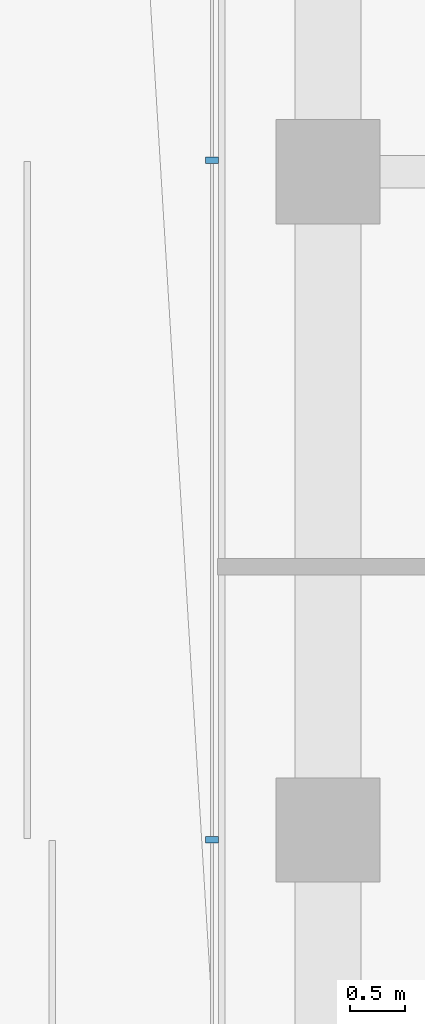
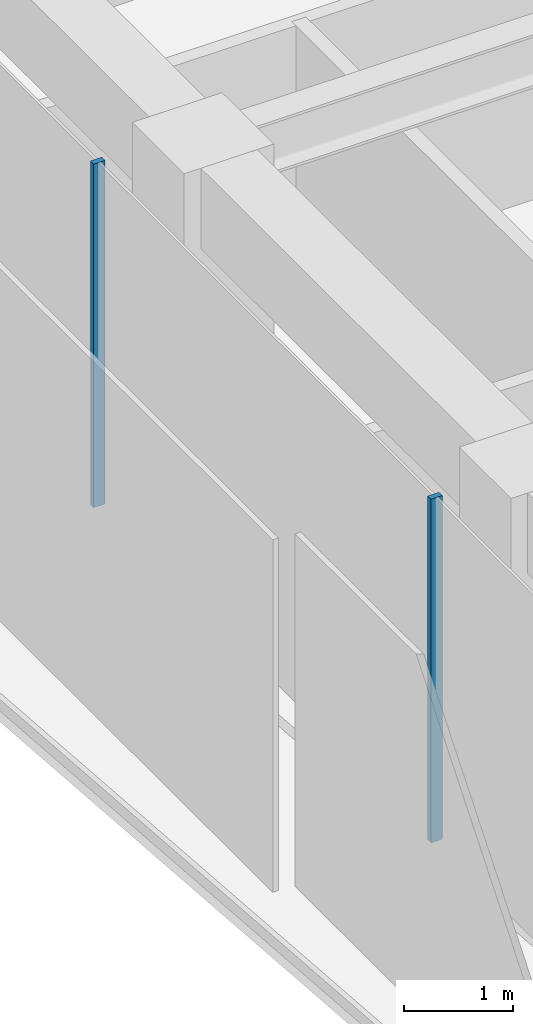
# One storey, part 12 of 29: 2 members, 1 element without a shape of its own.
"""IFC4 building model written with IfcOpenShell, lengths in metres."""

import ifcopenshell
import ifcopenshell.guid

model = None  # the IFC model being written
_history = None  # IfcOwnerHistory: only IFC2X3 demands one
_inside = {}  # id of a spatial element -> (the spatial element, [elements in it])
_under = {}  # id of a project, library or spatial element -> (it, [spatial elements below it])
_declared = {}  # id of a project -> (the project, [libraries it declares])
_typed = {}  # id of a type object -> (the type object, [elements of that type])
_made_of = {}  # id of a material, layer set ... -> (it, [elements and type objects made of it])


def new_model(schema):
    """Start an empty IFC model of exactly this schema.

    Asked for "IFC4X3", IfcOpenShell would pick the latest addendum, in which some entities
    have other attributes; the version numbers below select the first issue.
    IFC2X3 requires an IfcOwnerHistory on every rooted entity: one is made here for all.
    """
    global model, _history
    if schema == "IFC4X3":
        model = ifcopenshell.file(schema_version=(4, 3, 0, 0))
    else:
        model = ifcopenshell.file(schema=schema)
    _inside.clear()
    _under.clear()
    _declared.clear()
    _typed.clear()
    _made_of.clear()
    _history = None
    if model.schema == "IFC2X3":
        org = make("IfcOrganization", Name="unknown")
        user = make(
            "IfcPersonAndOrganization",
            ThePerson=make("IfcPerson", FamilyName="unknown"),
            TheOrganization=org,
        )
        app = make(
            "IfcApplication",
            ApplicationDeveloper=org,
            Version="unknown",
            ApplicationFullName="unknown",
            ApplicationIdentifier="unknown",
        )
        _history = make(
            "IfcOwnerHistory",
            OwningUser=user,
            OwningApplication=app,
            ChangeAction="ADDED",
            CreationDate=0,
        )
    return model


def make(cls, **values):
    """One entity of the class cls with the attributes given. An attribute that is None is left unset."""
    return model.create_entity(
        cls, **{name: value for name, value in values.items() if value is not None}
    )


def rooted(cls, **values):
    """An entity with a GlobalId (a new one), such as an element, a storey or a relation."""
    return make(cls, GlobalId=ifcopenshell.guid.new(), OwnerHistory=_history, **values)


def si_unit(unit_type, name, prefix=None):
    """IfcSIUnit, for example si_unit("LENGTHUNIT", "METRE", prefix="MILLI")."""
    return make("IfcSIUnit", UnitType=unit_type, Prefix=prefix, Name=name)


def assignment(units):
    """IfcUnitAssignment: the units of a project."""
    return None if units is None else make("IfcUnitAssignment", Units=units)


def point(xyz):
    """IfcCartesianPoint."""
    return None if xyz is None else make("IfcCartesianPoint", Coordinates=xyz)


def direction(xyz):
    """IfcDirection."""
    return None if xyz is None else make("IfcDirection", DirectionRatios=xyz)


def frame(location, z_axis=None, x_axis=None):
    """IfcAxis2Placement3D, a coordinate frame: its origin and axes. An axis left out is left unset."""
    return make(
        "IfcAxis2Placement3D",
        Location=point(location),
        Axis=direction(z_axis),
        RefDirection=direction(x_axis),
    )


def frame_2d(location, x_axis=None):
    """IfcAxis2Placement2D, a coordinate frame in the plane: its origin and x axis."""
    return make(
        "IfcAxis2Placement2D", Location=point(location), RefDirection=direction(x_axis)
    )


def origin():
    """The frame at (0, 0, 0) with its axes left unset."""
    return frame((0.0, 0.0, 0.0))


def origin_2d():
    """The frame at (0, 0) in the plane with its x axis left unset."""
    return frame_2d((0.0, 0.0))


def place(relative_to, where):
    """IfcLocalPlacement: puts the frame where relative to a parent placement (None: the world)."""
    return make(
        "IfcLocalPlacement", PlacementRelTo=relative_to, RelativePlacement=where
    )


def context(
    kind, dimensions, precision=None, world=None, true_north=None, identifier=None
):
    """IfcGeometricRepresentationContext, for example the 3D "Model" context."""
    return make(
        "IfcGeometricRepresentationContext",
        ContextIdentifier=identifier,
        ContextType=kind,
        CoordinateSpaceDimension=dimensions,
        Precision=precision,
        WorldCoordinateSystem=world,
        TrueNorth=true_north,
    )


def subcontext(parent, identifier, kind, view, scale=None):
    """IfcGeometricRepresentationSubContext, for example "Body" below "Model"."""
    return make(
        "IfcGeometricRepresentationSubContext",
        ContextIdentifier=identifier,
        ContextType=kind,
        ParentContext=parent,
        TargetScale=scale,
        TargetView=view,
    )


def project(units=None, contexts=None):
    """IfcProject with its units and contexts."""
    return rooted(
        "IfcProject",
        Name="project",
        RepresentationContexts=contexts,
        UnitsInContext=assignment(units),
    )


def spatial(cls, under=None, at=None, **own):
    """A site, building, storey or space (cls), placed at a placement, below another one or the project."""
    s = rooted(cls, ObjectPlacement=at, **own)
    if under is not None:
        _under.setdefault(under.id(), (under, []))[1].append(s)
    return s


def profile(cls, at=None, kind="AREA", **sizes):
    """A parametric profile (cls). Its sizes go by their IFC names, for example OverallWidth=200.0."""
    return make(cls, ProfileType=kind, Position=at, **sizes)


def rectangle(**sizes):
    """IfcRectangleProfileDef."""
    return profile("IfcRectangleProfileDef", **sizes)


def extrude(swept, where, along, depth):
    """IfcExtrudedAreaSolid: the profile swept, set in the frame where, extruded along a direction by depth."""
    return make(
        "IfcExtrudedAreaSolid",
        SweptArea=swept,
        Position=where,
        ExtrudedDirection=direction(along),
        Depth=depth,
    )


def shape(context_of_items, identifier, shape_type, items):
    """IfcShapeRepresentation: the items that make up one representation, for example the "Body"."""
    return make(
        "IfcShapeRepresentation",
        ContextOfItems=context_of_items,
        RepresentationIdentifier=identifier,
        RepresentationType=shape_type,
        Items=items,
    )


def material(Name=None, Category=None):
    """IfcMaterial."""
    return make("IfcMaterial", Name=Name, Category=Category)


def layer(
    of_material, thickness, ventilated=None, Name=None, Category=None, Priority=None
):
    """IfcMaterialLayer: one layer of a wall or slab, of a material (None: an air gap)."""
    return make(
        "IfcMaterialLayer",
        Material=of_material,
        LayerThickness=thickness,
        IsVentilated=ventilated,
        Name=Name,
        Category=Category,
        Priority=Priority,
    )


def layer_set(layers, Name=None):
    """IfcMaterialLayerSet."""
    return make("IfcMaterialLayerSet", MaterialLayers=layers, LayerSetName=Name)


def material_profile(
    of_material, cross_section, Name=None, Category=None, Priority=None
):
    """IfcMaterialProfile: a cross section and its material."""
    return make(
        "IfcMaterialProfile",
        Name=Name,
        Material=of_material,
        Profile=cross_section,
        Priority=Priority,
        Category=Category,
    )


def profile_set(profiles, Name=None, composite=None):
    """IfcMaterialProfileSet."""
    return make(
        "IfcMaterialProfileSet",
        Name=Name,
        MaterialProfiles=profiles,
        CompositeProfile=composite,
    )


def made_of(thing, what):
    """Note that an element or type object is made of a material, layer set ...; save() writes the relation."""
    if what is not None:
        _made_of.setdefault(what.id(), (what, []))[1].append(thing)
    return thing


def type_object(cls, material=None, **own):
    """A type object (cls), such as IfcWallType, which elements share."""
    return made_of(rooted(cls, **own), material)


def element(
    cls,
    number,
    at=None,
    inside=None,
    cuts=None,
    type_object=None,
    material=None,
    context=None,
    identifier="Body",
    shape_type=None,
    held_by="IfcProductDefinitionShape",
    body=None,
    shapes=None,
    **own,
):
    """One element of the class cls, such as IfcWall. Its Tag is "e" and its number.

    at: its placement. inside: the storey or other place that contains it. cuts: it is an
    opening in that element (IfcRelVoidsElement). A single representation is given by context,
    identifier, shape_type and body (its items); several are given by shapes. held_by: the class
    of the entity that holds the representations. save() writes the other relations.
    """
    e = rooted(cls, Tag="e%d" % number, ObjectPlacement=at, **own)
    if body is not None:
        shapes = [shape(context, identifier, shape_type, body)]
    if shapes is not None:
        e.Representation = make(held_by, Representations=shapes)
    if inside is not None:
        _inside.setdefault(inside.id(), (inside, []))[1].append(e)
    if cuts is not None:
        rooted(
            "IfcRelVoidsElement", RelatingBuildingElement=cuts, RelatedOpeningElement=e
        )
    if type_object is not None:
        _typed.setdefault(type_object.id(), (type_object, []))[1].append(e)
    return made_of(e, material)


def aggregate(whole, parts):
    """IfcRelAggregates: a whole, such as a stair, and the parts it consists of."""
    return rooted("IfcRelAggregates", RelatingObject=whole, RelatedObjects=parts)


def save(model, path):
    """Write the relations noted so far, then the file.

    IfcRelAggregates (storeys below a building ...), IfcRelContainedInSpatialStructure (elements
    in a storey), IfcRelDefinesByType, IfcRelAssociatesMaterial and IfcRelDeclares: one each for
    every whole, place, type object, material and project.
    """
    for whole, parts in _under.values():
        aggregate(whole, parts)
    for where, things in _inside.values():
        rooted(
            "IfcRelContainedInSpatialStructure",
            RelatedElements=things,
            RelatingStructure=where,
        )
    for kind, things in _typed.values():
        rooted("IfcRelDefinesByType", RelatedObjects=things, RelatingType=kind)
    for what, things in _made_of.values():
        rooted("IfcRelAssociatesMaterial", RelatedObjects=things, RelatingMaterial=what)
    for by, libraries in _declared.values():
        rooted("IfcRelDeclares", RelatingContext=by, RelatedDefinitions=libraries)
    model.write(path)


model = new_model("IFC4")

# Units and contexts
model_context = context("Model", 3, precision=1e-05, world=origin(), true_north=direction((0.0, 1.0)))
body_context = subcontext(model_context, "Body", "Model", "MODEL_VIEW")
ifc_project = project(units=[si_unit("LENGTHUNIT", "METRE"), si_unit("AREAUNIT", "SQUARE_METRE"), si_unit("VOLUMEUNIT", "CUBIC_METRE"), si_unit("PLANEANGLEUNIT", "RADIAN"), si_unit("MASSUNIT", "GRAM", prefix="KILO")], contexts=[model_context])

# Site, building, storey
site_placement = place(None, origin())
site = spatial("IfcSite", under=ifc_project, at=site_placement, CompositionType="ELEMENT")
building_placement = place(site_placement, origin())
building = spatial("IfcBuilding", under=site, at=building_placement, Name="Welwitschia Terrace Campus", CompositionType="ELEMENT")
storey_placement = place(building_placement, frame((0.0, 0.0, 66.800048828125)))
storey = spatial("IfcBuildingStorey", under=building, at=storey_placement, Name="L15", CompositionType="ELEMENT", Elevation=66.800048828125)

# Curtain wall, members
ifc_material_1 = material(Name="Bronze anodised aluminium", Category="aluminium")
ifc_layer = layer(ifc_material_1, 0.1201171875)
ifc_layer_set = layer_set([ifc_layer], Name="Bronze anodised aluminium")
curtain_wall_type = type_object("IfcCurtainWallType", Name="Curtain wall CW2 tower 6000", PredefinedType="NOTDEFINED", material=ifc_layer_set)
curtain_wall_placement = place(storey_placement, origin())
curtain_wall = element("IfcCurtainWall", 1, at=curtain_wall_placement, inside=storey, type_object=curtain_wall_type, Name="CW L15.12.0", PredefinedType="NOTDEFINED")
ifc_material_2 = material(Name="Bronze anodised aluminium", Category="aluminium")
ifc_material_profile = material_profile(ifc_material_2, rectangle(XDim=0.1201171875, YDim=0.06005859375, at=origin_2d()))
ifc_profile_set = profile_set([ifc_material_profile], Name="Bronze anodised aluminium")
member_type = type_object("IfcMemberType", Name="Mullion 60x120", PredefinedType="MULLION", material=ifc_profile_set)
member_1_placement = place(storey_placement, frame((-1.05810546875, 32.103515625, 0.0), z_axis=(0.0, 0.0, 1.0), x_axis=(1.0, 0.0, 0.0)))
member_1 = element("IfcMember", 2, at=member_1_placement, type_object=member_type, Name="Mullion L15.12.0.5", PredefinedType="MULLION", context=body_context, shape_type="SweptSolid", body=[
    extrude(rectangle(XDim=0.1201171875, YDim=0.06005859375, at=origin_2d()), origin(), (0.0, 0.0, 1.0), 3.849853515625),
])
member_2_placement = place(storey_placement, frame((-1.05810546875, 25.91259765625, 0.0), z_axis=(0.0, 0.0, 1.0), x_axis=(1.0, 0.0, 0.0)))
member_2 = element("IfcMember", 3, at=member_2_placement, type_object=member_type, Name="Mullion L15.12.0.6", PredefinedType="MULLION", context=body_context, shape_type="SweptSolid", body=[
    extrude(rectangle(XDim=0.1201171875, YDim=0.06005859375, at=origin_2d()), origin(), (0.0, 0.0, 1.0), 3.849853515625),
])
aggregate(curtain_wall, [member_1, member_2])

save(model, "model.ifc")
